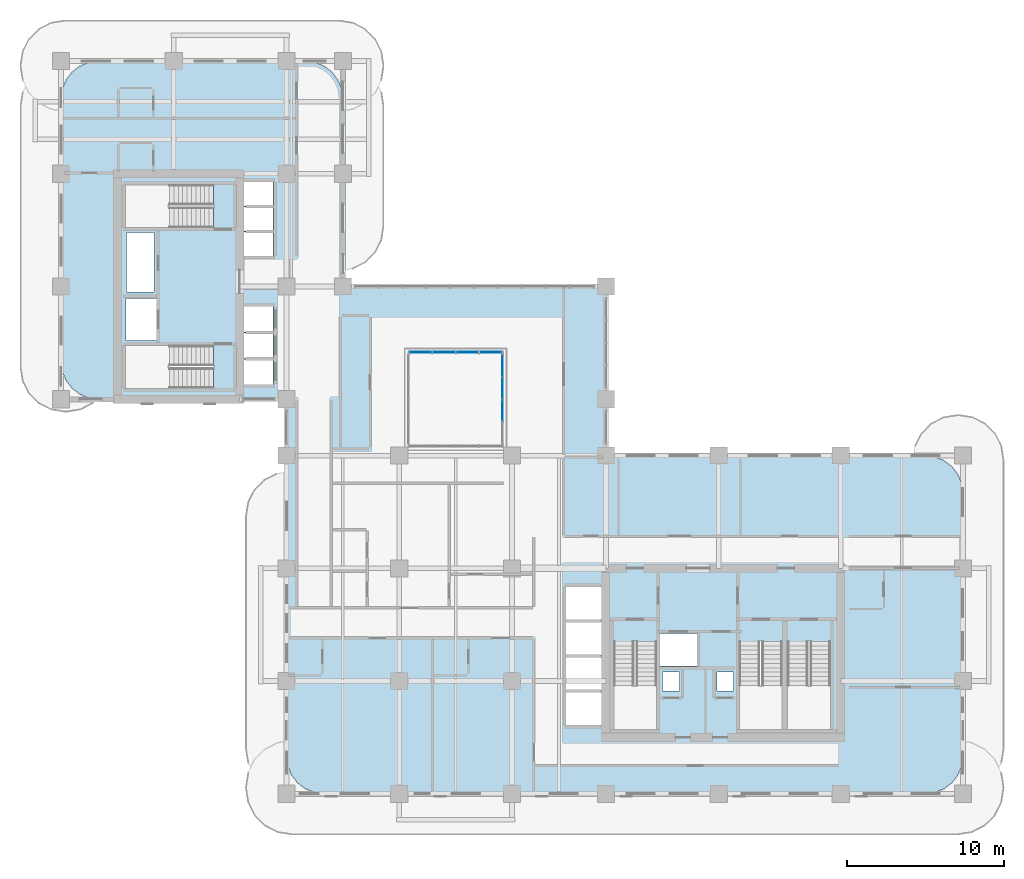
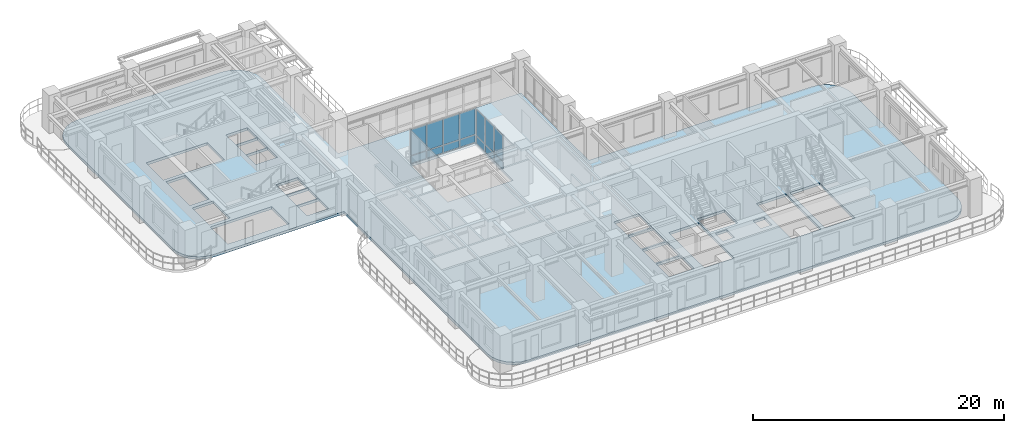
# One storey, part 9 of 22: 14 plates, 1 slab, 2 elements without a shape of their own.
"""IFC4 building model written with IfcOpenShell, lengths in metres."""

import ifcopenshell
import ifcopenshell.guid

model = None  # the IFC model being written
_history = None  # IfcOwnerHistory: only IFC2X3 demands one
_inside = {}  # id of a spatial element -> (the spatial element, [elements in it])
_under = {}  # id of a project, library or spatial element -> (it, [spatial elements below it])
_declared = {}  # id of a project -> (the project, [libraries it declares])
_typed = {}  # id of a type object -> (the type object, [elements of that type])
_made_of = {}  # id of a material, layer set ... -> (it, [elements and type objects made of it])


def new_model(schema):
    """Start an empty IFC model of exactly this schema.

    Asked for "IFC4X3", IfcOpenShell would pick the latest addendum, in which some entities
    have other attributes; the version numbers below select the first issue.
    IFC2X3 requires an IfcOwnerHistory on every rooted entity: one is made here for all.
    """
    global model, _history
    if schema == "IFC4X3":
        model = ifcopenshell.file(schema_version=(4, 3, 0, 0))
    else:
        model = ifcopenshell.file(schema=schema)
    _inside.clear()
    _under.clear()
    _declared.clear()
    _typed.clear()
    _made_of.clear()
    _history = None
    if model.schema == "IFC2X3":
        org = make("IfcOrganization", Name="unknown")
        user = make(
            "IfcPersonAndOrganization",
            ThePerson=make("IfcPerson", FamilyName="unknown"),
            TheOrganization=org,
        )
        app = make(
            "IfcApplication",
            ApplicationDeveloper=org,
            Version="unknown",
            ApplicationFullName="unknown",
            ApplicationIdentifier="unknown",
        )
        _history = make(
            "IfcOwnerHistory",
            OwningUser=user,
            OwningApplication=app,
            ChangeAction="ADDED",
            CreationDate=0,
        )
    return model


def make(cls, **values):
    """One entity of the class cls with the attributes given. An attribute that is None is left unset."""
    return model.create_entity(
        cls, **{name: value for name, value in values.items() if value is not None}
    )


def rooted(cls, **values):
    """An entity with a GlobalId (a new one), such as an element, a storey or a relation."""
    return make(cls, GlobalId=ifcopenshell.guid.new(), OwnerHistory=_history, **values)


def si_unit(unit_type, name, prefix=None):
    """IfcSIUnit, for example si_unit("LENGTHUNIT", "METRE", prefix="MILLI")."""
    return make("IfcSIUnit", UnitType=unit_type, Prefix=prefix, Name=name)


def derived_unit(unit_type, elements):
    """IfcDerivedUnit: a product of units, each with its exponent."""
    return make(
        "IfcDerivedUnit",
        Elements=[
            make("IfcDerivedUnitElement", Unit=unit, Exponent=power)
            for unit, power in elements
        ],
        UnitType=unit_type,
    )


def assignment(units):
    """IfcUnitAssignment: the units of a project."""
    return None if units is None else make("IfcUnitAssignment", Units=units)


def point(xyz):
    """IfcCartesianPoint."""
    return None if xyz is None else make("IfcCartesianPoint", Coordinates=xyz)


def direction(xyz):
    """IfcDirection."""
    return None if xyz is None else make("IfcDirection", DirectionRatios=xyz)


def frame(location, z_axis=None, x_axis=None):
    """IfcAxis2Placement3D, a coordinate frame: its origin and axes. An axis left out is left unset."""
    return make(
        "IfcAxis2Placement3D",
        Location=point(location),
        Axis=direction(z_axis),
        RefDirection=direction(x_axis),
    )


def frame_2d(location, x_axis=None):
    """IfcAxis2Placement2D, a coordinate frame in the plane: its origin and x axis."""
    return make(
        "IfcAxis2Placement2D", Location=point(location), RefDirection=direction(x_axis)
    )


def origin():
    """The frame at (0, 0, 0) with its axes left unset."""
    return frame((0.0, 0.0, 0.0))


def origin_2d():
    """The frame at (0, 0) in the plane with its x axis left unset."""
    return frame_2d((0.0, 0.0))


def place(relative_to, where):
    """IfcLocalPlacement: puts the frame where relative to a parent placement (None: the world)."""
    return make(
        "IfcLocalPlacement", PlacementRelTo=relative_to, RelativePlacement=where
    )


def context(
    kind, dimensions, precision=None, world=None, true_north=None, identifier=None
):
    """IfcGeometricRepresentationContext, for example the 3D "Model" context."""
    return make(
        "IfcGeometricRepresentationContext",
        ContextIdentifier=identifier,
        ContextType=kind,
        CoordinateSpaceDimension=dimensions,
        Precision=precision,
        WorldCoordinateSystem=world,
        TrueNorth=true_north,
    )


def subcontext(parent, identifier, kind, view, scale=None):
    """IfcGeometricRepresentationSubContext, for example "Body" below "Model"."""
    return make(
        "IfcGeometricRepresentationSubContext",
        ContextIdentifier=identifier,
        ContextType=kind,
        ParentContext=parent,
        TargetScale=scale,
        TargetView=view,
    )


def project(units=None, contexts=None):
    """IfcProject with its units and contexts."""
    return rooted(
        "IfcProject",
        Name="project",
        RepresentationContexts=contexts,
        UnitsInContext=assignment(units),
    )


def spatial(cls, under=None, at=None, **own):
    """A site, building, storey or space (cls), placed at a placement, below another one or the project."""
    s = rooted(cls, ObjectPlacement=at, **own)
    if under is not None:
        _under.setdefault(under.id(), (under, []))[1].append(s)
    return s


def polyline(points):
    """IfcPolyline through the points."""
    return make("IfcPolyline", Points=[point(p) for p in points])


def profile(cls, at=None, kind="AREA", **sizes):
    """A parametric profile (cls). Its sizes go by their IFC names, for example OverallWidth=200.0."""
    return make(cls, ProfileType=kind, Position=at, **sizes)


def rectangle(**sizes):
    """IfcRectangleProfileDef."""
    return profile("IfcRectangleProfileDef", **sizes)


def outline(outer, holes=None, kind="AREA"):
    """IfcArbitraryClosedProfileDef: a profile drawn as a closed curve; with holes, ...WithVoids."""
    if holes is None:
        return make("IfcArbitraryClosedProfileDef", ProfileType=kind, OuterCurve=outer)
    return make(
        "IfcArbitraryProfileDefWithVoids",
        ProfileType=kind,
        OuterCurve=outer,
        InnerCurves=holes,
    )


def extrude(swept, where, along, depth):
    """IfcExtrudedAreaSolid: the profile swept, set in the frame where, extruded along a direction by depth."""
    return make(
        "IfcExtrudedAreaSolid",
        SweptArea=swept,
        Position=where,
        ExtrudedDirection=direction(along),
        Depth=depth,
    )


def shape(context_of_items, identifier, shape_type, items):
    """IfcShapeRepresentation: the items that make up one representation, for example the "Body"."""
    return make(
        "IfcShapeRepresentation",
        ContextOfItems=context_of_items,
        RepresentationIdentifier=identifier,
        RepresentationType=shape_type,
        Items=items,
    )


def source(mapping_origin, context_of_items, identifier, shape_type, items):
    """IfcRepresentationMap: a shape defined once, which mapped items show again and again."""
    return make(
        "IfcRepresentationMap",
        MappingOrigin=mapping_origin,
        MappedRepresentation=shape(context_of_items, identifier, shape_type, items),
    )


def transform(
    local_origin,
    x_axis=None,
    y_axis=None,
    z_axis=None,
    scale=None,
    scale2=None,
    scale3=None,
    uniform=True,
):
    """IfcCartesianTransformationOperator3D, or its non-uniform kind. x_axis, y_axis, z_axis: its Axis1, 2, 3."""
    if uniform:
        return make(
            "IfcCartesianTransformationOperator3D",
            Axis1=direction(x_axis),
            Axis2=direction(y_axis),
            LocalOrigin=point(local_origin),
            Scale=scale,
            Axis3=direction(z_axis),
        )
    return make(
        "IfcCartesianTransformationOperator3DnonUniform",
        Axis1=direction(x_axis),
        Axis2=direction(y_axis),
        LocalOrigin=point(local_origin),
        Scale=scale,
        Axis3=direction(z_axis),
        Scale2=scale2,
        Scale3=scale3,
    )


def mapped(mapping_source, mapping_target):
    """IfcMappedItem: shows the shape of a source again, moved by a transform."""
    return make(
        "IfcMappedItem", MappingSource=mapping_source, MappingTarget=mapping_target
    )


def material(Name=None, Category=None):
    """IfcMaterial."""
    return make("IfcMaterial", Name=Name, Category=Category)


def layer(
    of_material, thickness, ventilated=None, Name=None, Category=None, Priority=None
):
    """IfcMaterialLayer: one layer of a wall or slab, of a material (None: an air gap)."""
    return make(
        "IfcMaterialLayer",
        Material=of_material,
        LayerThickness=thickness,
        IsVentilated=ventilated,
        Name=Name,
        Category=Category,
        Priority=Priority,
    )


def layer_set(layers, Name=None):
    """IfcMaterialLayerSet."""
    return make("IfcMaterialLayerSet", MaterialLayers=layers, LayerSetName=Name)


def made_of(thing, what):
    """Note that an element or type object is made of a material, layer set ...; save() writes the relation."""
    if what is not None:
        _made_of.setdefault(what.id(), (what, []))[1].append(thing)
    return thing


def type_object(cls, material=None, **own):
    """A type object (cls), such as IfcWallType, which elements share."""
    return made_of(rooted(cls, **own), material)


def element(
    cls,
    number,
    at=None,
    inside=None,
    cuts=None,
    type_object=None,
    material=None,
    context=None,
    identifier="Body",
    shape_type=None,
    held_by="IfcProductDefinitionShape",
    body=None,
    shapes=None,
    **own,
):
    """One element of the class cls, such as IfcWall. Its Tag is "e" and its number.

    at: its placement. inside: the storey or other place that contains it. cuts: it is an
    opening in that element (IfcRelVoidsElement). A single representation is given by context,
    identifier, shape_type and body (its items); several are given by shapes. held_by: the class
    of the entity that holds the representations. save() writes the other relations.
    """
    e = rooted(cls, Tag="e%d" % number, ObjectPlacement=at, **own)
    if body is not None:
        shapes = [shape(context, identifier, shape_type, body)]
    if shapes is not None:
        e.Representation = make(held_by, Representations=shapes)
    if inside is not None:
        _inside.setdefault(inside.id(), (inside, []))[1].append(e)
    if cuts is not None:
        rooted(
            "IfcRelVoidsElement", RelatingBuildingElement=cuts, RelatedOpeningElement=e
        )
    if type_object is not None:
        _typed.setdefault(type_object.id(), (type_object, []))[1].append(e)
    return made_of(e, material)


def aggregate(whole, parts):
    """IfcRelAggregates: a whole, such as a stair, and the parts it consists of."""
    return rooted("IfcRelAggregates", RelatingObject=whole, RelatedObjects=parts)


def save(model, path):
    """Write the relations noted so far, then the file.

    IfcRelAggregates (storeys below a building ...), IfcRelContainedInSpatialStructure (elements
    in a storey), IfcRelDefinesByType, IfcRelAssociatesMaterial and IfcRelDeclares: one each for
    every whole, place, type object, material and project.
    """
    for whole, parts in _under.values():
        aggregate(whole, parts)
    for where, things in _inside.values():
        rooted(
            "IfcRelContainedInSpatialStructure",
            RelatedElements=things,
            RelatingStructure=where,
        )
    for kind, things in _typed.values():
        rooted("IfcRelDefinesByType", RelatedObjects=things, RelatingType=kind)
    for what, things in _made_of.values():
        rooted("IfcRelAssociatesMaterial", RelatedObjects=things, RelatingMaterial=what)
    for by, libraries in _declared.values():
        rooted("IfcRelDeclares", RelatingContext=by, RelatedDefinitions=libraries)
    model.write(path)


model = new_model("IFC4")

# Units and contexts
model_context = context("Model", 3, precision=1e-05, world=origin(), true_north=direction((0.0, 1.0)))
body_context = subcontext(model_context, "Body", "Model", "MODEL_VIEW")
ifc_project = project(units=[si_unit("LENGTHUNIT", "METRE"), si_unit("AREAUNIT", "SQUARE_METRE"), si_unit("VOLUMEUNIT", "CUBIC_METRE"), si_unit("PLANEANGLEUNIT", "RADIAN"), si_unit("MASSUNIT", "GRAM", prefix="KILO"), si_unit("THERMODYNAMICTEMPERATUREUNIT", "KELVIN"), si_unit("POWERUNIT", "WATT"), derived_unit("THERMALTRANSMITTANCEUNIT", [(si_unit("POWERUNIT", "WATT"), 1), (si_unit("AREAUNIT", "SQUARE_METRE"), -1), (si_unit("THERMODYNAMICTEMPERATUREUNIT", "KELVIN"), -1)])], contexts=[model_context])

# Site, building, storey
site_placement = place(None, origin())
site = spatial("IfcSite", under=ifc_project, at=site_placement, CompositionType="ELEMENT")
building_placement = place(site_placement, origin())
building = spatial("IfcBuilding", under=site, at=building_placement, Name="Zahravan Archway Hotel and Residences", CompositionType="ELEMENT")
storey_placement = place(building_placement, frame((0.0, 0.0, 84.199951171875)))
storey = spatial("IfcBuildingStorey", under=building, at=storey_placement, Name="L20", CompositionType="ELEMENT", Elevation=84.199951171875)

# Slab
ifc_material_1 = material(Name="Concrete C45/55", Category="concrete")
ifc_layer_1 = layer(ifc_material_1, 0.25, Name="Concrete C45/55", Category="concrete")
ifc_layer_set_1 = layer_set([ifc_layer_1], Name="Concrete C45/55")
slab_type = type_object("IfcSlabType", Name="SLB-FLR-250", PredefinedType="FLOOR", material=ifc_layer_set_1)
slab_placement = place(storey_placement, frame((0.0, 0.0, -0.25)))
element("IfcSlab", 1, at=slab_placement, inside=storey, type_object=slab_type, Name="L20 Floor Slab LB", PredefinedType="FLOOR", context=body_context, shape_type="SweptSolid", body=[
    extrude(outline(polyline([(34.800048828125, 21.60009765625), (34.800048828125, 32.39990234375), (18.0, 32.39990234375), (18.0, 44.39990234375), (17.918212890625, 45.021240234375), (17.678466796875, 45.60009765625), (17.297119140625, 46.09716796875), (16.800048828125, 46.478515625), (16.22119140625, 46.71826171875), (15.60009765625, 46.800048828125), (2.39990234375, 46.800048828125), (1.77880859375, 46.71826171875), (1.199951171875, 46.478515625), (0.702880859375, 46.09716796875), (0.321533203125, 45.60009765625), (0.081787109375, 45.021240234375), (0.0, 44.39990234375), (0.0, 27.60009765625), (0.081787109375, 26.978759765625), (0.321533203125, 26.39990234375), (0.702880859375, 25.90283203125), (1.199951171875, 25.521484375), (1.77880859375, 25.28173828125), (2.39990234375, 25.199951171875), (14.39990234375, 25.199951171875), (14.39990234375, 19.199951171875), (14.39990234375, 19.10009765625), (14.39990234375, 2.39990234375), (14.481689453125, 1.77880859375), (14.721435546875, 1.199951171875), (15.102783203125, 0.702880859375), (15.60009765625, 0.321533203125), (16.1787109375, 0.081787109375), (16.800048828125, 0.0), (55.199951171875, 0.0), (55.8212890625, 0.081787109375), (56.39990234375, 0.321533203125), (56.897216796875, 0.702880859375), (57.278564453125, 1.199951171875), (57.518310546875, 1.77880859375), (57.60009765625, 2.39990234375), (57.60009765625, 19.199951171875), (57.518310546875, 19.8212890625), (57.278564453125, 20.39990234375), (56.897216796875, 20.897216796875), (56.39990234375, 21.278564453125), (55.8212890625, 21.518310546875), (55.199951171875, 21.60009765625), (34.800048828125, 21.60009765625)]), holes=[polyline([(35.300048828125, 9.72998046875), (35.300048828125, 4.10009765625), (38.0400390625, 4.10009765625), (38.0400390625, 9.72998046875), (35.300048828125, 9.72998046875)]), polyline([(43.320068359375, 9.72998046875), (43.320068359375, 4.10009765625), (46.06005859375, 4.10009765625), (46.06005859375, 9.72998046875), (43.320068359375, 9.72998046875)]), polyline([(46.39990234375, 9.72998046875), (46.39990234375, 4.10009765625), (49.139892578125, 4.10009765625), (49.139892578125, 9.72998046875), (46.39990234375, 9.72998046875)]), polyline([(9.72998046875, 28.639892578125), (4.10009765625, 28.639892578125), (4.10009765625, 25.89990234375), (9.72998046875, 25.89990234375), (9.72998046875, 28.639892578125)]), polyline([(9.72998046875, 38.89990234375), (4.10009765625, 38.89990234375), (4.10009765625, 36.159912109375), (9.72998046875, 36.159912109375), (9.72998046875, 38.89990234375)]), polyline([(38.179931640625, 8.14990234375), (40.699951171875, 8.14990234375), (40.699951171875, 10.25), (38.179931640625, 10.25), (38.179931640625, 8.14990234375)]), polyline([(4.14990234375, 28.949951171875), (6.10009765625, 28.949951171875), (6.10009765625, 31.64990234375), (4.14990234375, 31.64990234375), (4.14990234375, 28.949951171875)]), polyline([(11.550048828125, 26.14990234375), (13.550048828125, 26.14990234375), (13.550048828125, 27.75), (11.550048828125, 27.75), (11.550048828125, 26.14990234375)]), polyline([(11.550048828125, 27.830078125), (13.550048828125, 27.830078125), (13.550048828125, 29.429931640625), (11.550048828125, 29.429931640625), (11.550048828125, 27.830078125)]), polyline([(11.550048828125, 29.510009765625), (13.550048828125, 29.510009765625), (13.550048828125, 31.110107421875), (11.550048828125, 31.110107421875), (11.550048828125, 29.510009765625)]), polyline([(11.550048828125, 34.35009765625), (13.550048828125, 34.35009765625), (13.550048828125, 35.889892578125), (11.550048828125, 35.889892578125), (11.550048828125, 34.35009765625)]), polyline([(11.550048828125, 35.949951171875), (13.550048828125, 35.949951171875), (13.550048828125, 37.489990234375), (11.550048828125, 37.489990234375), (11.550048828125, 35.949951171875)]), polyline([(11.550048828125, 37.550048828125), (13.550048828125, 37.550048828125), (13.550048828125, 39.090087890625), (11.550048828125, 39.090087890625), (11.550048828125, 37.550048828125)]), polyline([(32.25, 4.39990234375), (34.550048828125, 4.39990234375), (34.550048828125, 6.47998046875), (32.25, 6.47998046875), (32.25, 4.39990234375)]), polyline([(32.25, 6.639892578125), (34.550048828125, 6.639892578125), (34.550048828125, 8.719970703125), (32.25, 8.719970703125), (32.25, 6.639892578125)]), polyline([(32.25, 8.8798828125), (34.550048828125, 8.8798828125), (34.550048828125, 10.9599609375), (32.25, 10.9599609375), (32.25, 8.8798828125)]), polyline([(32.25, 11.1201171875), (34.550048828125, 11.1201171875), (34.550048828125, 13.199951171875), (32.25, 13.199951171875), (32.25, 11.1201171875)]), polyline([(22.199951171875, 22.199951171875), (28.199951171875, 22.199951171875), (28.199951171875, 28.199951171875), (22.199951171875, 28.199951171875), (22.199951171875, 22.199951171875)]), polyline([(38.419921875, 6.56005859375), (39.5, 6.56005859375), (39.5, 7.780029296875), (38.419921875, 7.780029296875), (38.419921875, 6.56005859375)]), polyline([(41.89990234375, 6.56005859375), (42.9599609375, 6.56005859375), (42.9599609375, 7.780029296875), (41.89990234375, 7.780029296875), (41.89990234375, 6.56005859375)]), polyline([(4.179931640625, 32.050048828125), (5.93994140625, 32.050048828125), (5.93994140625, 35.840087890625), (4.179931640625, 35.840087890625), (4.179931640625, 32.050048828125)])]), origin(), (0.0, 0.0, 1.0), 0.25),
])

# Curtain wall, plates
ifc_material_2 = material(Name="Bronze-Anodized Unitised Aluminium & Low-E Glass", Category="aluminium")
ifc_layer_2 = layer(ifc_material_2, 0.179931640625, Name="Bronze-Anodized Unitised Aluminium & Low-E Glass", Category="aluminium")
ifc_layer_set_2 = layer_set([ifc_layer_2], Name="Bronze-Anodized Unitised Aluminium & Low-E Glass")
curtain_wall_type = type_object("IfcCurtainWallType", Name="CW-ATR-GLAZ", PredefinedType="NOTDEFINED", material=ifc_layer_set_2)
curtain_wall_1_placement = place(storey_placement, origin())
curtain_wall_1 = element("IfcCurtainWall", 2, at=curtain_wall_1_placement, inside=storey, type_object=curtain_wall_type, Name="L20 Curtain Wall CW-ATR-L20-N-1", PredefinedType="NOTDEFINED")
ifc_material_3 = material(Name="Insulated Terracotta Spandrel Panel", Category="masonry")
ifc_layer_3 = layer(ifc_material_3, 0.0400390625, Name="Insulated Terracotta Spandrel Panel", Category="masonry")
ifc_layer_set_3 = layer_set([ifc_layer_3], Name="Insulated Terracotta Spandrel Panel")
plate_type_1 = type_object("IfcPlateType", Name="CWP-SPN-40", PredefinedType="SHEET", material=ifc_layer_set_3)
shared_shape_1 = source(origin(), body_context, "Body", "SweptSolid", [
    extrude(rectangle(XDim=1.419921875, YDim=0.0400390625, at=origin_2d()), origin(), (0.0, 0.0, 1.0), 0.68798828125),
])
plate_1_placement = place(storey_placement, frame((22.949951171875, 28.199951171875, 0.10009765625), z_axis=(0.0, 0.0, 1.0), x_axis=(1.0, 0.0, 0.0)))
plate_1 = element("IfcPlate", 3, at=plate_1_placement, type_object=plate_type_1, Name="CW-ATR-L20-N-1 Spandrel Panel 0", PredefinedType="SHEET", context=body_context, shape_type="MappedRepresentation", body=[
    mapped(shared_shape_1, transform((0.0, 0.0, 0.0), scale=1.0)),
])
plate_2_placement = place(storey_placement, frame((24.449951171875, 28.199951171875, 0.10009765625), z_axis=(0.0, 0.0, 1.0), x_axis=(1.0, 0.0, 0.0)))
plate_2 = element("IfcPlate", 4, at=plate_2_placement, type_object=plate_type_1, Name="CW-ATR-L20-N-1 Spandrel Panel 1", PredefinedType="SHEET", context=body_context, shape_type="MappedRepresentation", body=[
    mapped(shared_shape_1, transform((0.0, 0.0, 0.0), scale=1.0)),
])
plate_3_placement = place(storey_placement, frame((25.949951171875, 28.199951171875, 0.10009765625), z_axis=(0.0, 0.0, 1.0), x_axis=(1.0, 0.0, 0.0)))
plate_3 = element("IfcPlate", 5, at=plate_3_placement, type_object=plate_type_1, Name="CW-ATR-L20-N-1 Spandrel Panel 2", PredefinedType="SHEET", context=body_context, shape_type="MappedRepresentation", body=[
    mapped(shared_shape_1, transform((0.0, 0.0, 0.0), scale=1.0)),
])
plate_4_placement = place(storey_placement, frame((27.449951171875, 28.199951171875, 0.10009765625), z_axis=(0.0, 0.0, 1.0), x_axis=(1.0, 0.0, 0.0)))
plate_4 = element("IfcPlate", 6, at=plate_4_placement, type_object=plate_type_1, Name="CW-ATR-L20-N-1 Spandrel Panel 3", PredefinedType="SHEET", context=body_context, shape_type="MappedRepresentation", body=[
    mapped(shared_shape_1, transform((0.0, 0.0, 0.0), scale=1.0)),
])
ifc_material_4 = material(Name="Double-Silver Low-E Insulated Vision Glass", Category="glass")
ifc_layer_4 = layer(ifc_material_4, 0.028076171875, Name="Double-Silver Low-E Insulated Vision Glass", Category="glass")
ifc_layer_set_4 = layer_set([ifc_layer_4], Name="Double-Silver Low-E Insulated Vision Glass")
plate_type_2 = type_object("IfcPlateType", Name="CWP-GLZ-28", PredefinedType="CURTAIN_PANEL", material=ifc_layer_set_4)
shared_shape_2 = source(origin(), body_context, "Body", "SweptSolid", [
    extrude(rectangle(XDim=1.419921875, YDim=0.028076171875, at=origin_2d()), origin(), (0.0, 0.0, 1.0), 2.48193359375),
])
plate_5_placement = place(storey_placement, frame((22.949951171875, 28.199951171875, 0.8681640625), z_axis=(0.0, 0.0, 1.0), x_axis=(1.0, 0.0, 0.0)))
plate_5 = element("IfcPlate", 7, at=plate_5_placement, type_object=plate_type_2, Name="CW-ATR-L20-N-1 Low-E Vision Panel 0", PredefinedType="CURTAIN_PANEL", context=body_context, shape_type="MappedRepresentation", body=[
    mapped(shared_shape_2, transform((0.0, 0.0, 0.0), scale=1.0)),
])
plate_6_placement = place(storey_placement, frame((24.449951171875, 28.199951171875, 0.8681640625), z_axis=(0.0, 0.0, 1.0), x_axis=(1.0, 0.0, 0.0)))
plate_6 = element("IfcPlate", 8, at=plate_6_placement, type_object=plate_type_2, Name="CW-ATR-L20-N-1 Low-E Vision Panel 1", PredefinedType="CURTAIN_PANEL", context=body_context, shape_type="MappedRepresentation", body=[
    mapped(shared_shape_2, transform((0.0, 0.0, 0.0), scale=1.0)),
])
plate_7_placement = place(storey_placement, frame((25.949951171875, 28.199951171875, 0.8681640625), z_axis=(0.0, 0.0, 1.0), x_axis=(1.0, 0.0, 0.0)))
plate_7 = element("IfcPlate", 9, at=plate_7_placement, type_object=plate_type_2, Name="CW-ATR-L20-N-1 Low-E Vision Panel 2", PredefinedType="CURTAIN_PANEL", context=body_context, shape_type="MappedRepresentation", body=[
    mapped(shared_shape_2, transform((0.0, 0.0, 0.0), scale=1.0)),
])
plate_8_placement = place(storey_placement, frame((27.449951171875, 28.199951171875, 0.8681640625), z_axis=(0.0, 0.0, 1.0), x_axis=(1.0, 0.0, 0.0)))
plate_8 = element("IfcPlate", 10, at=plate_8_placement, type_object=plate_type_2, Name="CW-ATR-L20-N-1 Low-E Vision Panel 3", PredefinedType="CURTAIN_PANEL", context=body_context, shape_type="MappedRepresentation", body=[
    mapped(shared_shape_2, transform((0.0, 0.0, 0.0), scale=1.0)),
])
aggregate(curtain_wall_1, [plate_1, plate_5, plate_2, plate_6, plate_3, plate_7, plate_4, plate_8])

curtain_wall_2_placement = place(storey_placement, origin())
curtain_wall_2 = element("IfcCurtainWall", 11, at=curtain_wall_2_placement, inside=storey, type_object=curtain_wall_type, Name="L20 Curtain Wall CW-ATR-L20-E-1", PredefinedType="NOTDEFINED")
shared_shape_3 = source(origin(), body_context, "Body", "SweptSolid", [
    extrude(rectangle(XDim=1.344970703125, YDim=0.0400390625, at=origin_2d()), origin(), (0.0, 0.0, 1.0), 0.68798828125),
])
plate_9_placement = place(storey_placement, frame((28.199951171875, 24.487548828125, 0.10009765625), z_axis=(0.0, 0.0, 1.0), x_axis=(0.0, 1.0, 0.0)))
plate_9 = element("IfcPlate", 12, at=plate_9_placement, type_object=plate_type_1, Name="CW-ATR-L20-E-1 Spandrel Panel 1", PredefinedType="SHEET", context=body_context, shape_type="MappedRepresentation", body=[
    mapped(shared_shape_3, transform((0.0, 0.0, 0.0), scale=1.0)),
])
plate_10_placement = place(storey_placement, frame((28.199951171875, 25.91259765625, 0.10009765625), z_axis=(0.0, 0.0, 1.0), x_axis=(0.0, 1.0, 0.0)))
plate_10 = element("IfcPlate", 13, at=plate_10_placement, type_object=plate_type_1, Name="CW-ATR-L20-E-1 Spandrel Panel 2", PredefinedType="SHEET", context=body_context, shape_type="MappedRepresentation", body=[
    mapped(shared_shape_3, transform((0.0, 0.0, 0.0), scale=1.0)),
])
plate_11_placement = place(storey_placement, frame((28.199951171875, 27.33740234375, 0.10009765625), z_axis=(0.0, 0.0, 1.0), x_axis=(0.0, 1.0, 0.0)))
plate_11 = element("IfcPlate", 14, at=plate_11_placement, type_object=plate_type_1, Name="CW-ATR-L20-E-1 Spandrel Panel 3", PredefinedType="SHEET", context=body_context, shape_type="MappedRepresentation", body=[
    mapped(shared_shape_3, transform((0.0, 0.0, 0.0), scale=1.0)),
])
shared_shape_4 = source(origin(), body_context, "Body", "SweptSolid", [
    extrude(rectangle(XDim=1.344970703125, YDim=0.028076171875, at=origin_2d()), origin(), (0.0, 0.0, 1.0), 2.48193359375),
])
plate_12_placement = place(storey_placement, frame((28.199951171875, 24.487548828125, 0.8681640625), z_axis=(0.0, 0.0, 1.0), x_axis=(0.0, 1.0, 0.0)))
plate_12 = element("IfcPlate", 15, at=plate_12_placement, type_object=plate_type_2, Name="CW-ATR-L20-E-1 Low-E Vision Panel 1", PredefinedType="CURTAIN_PANEL", context=body_context, shape_type="MappedRepresentation", body=[
    mapped(shared_shape_4, transform((0.0, 0.0, 0.0), scale=1.0)),
])
plate_13_placement = place(storey_placement, frame((28.199951171875, 25.91259765625, 0.8681640625), z_axis=(0.0, 0.0, 1.0), x_axis=(0.0, 1.0, 0.0)))
plate_13 = element("IfcPlate", 16, at=plate_13_placement, type_object=plate_type_2, Name="CW-ATR-L20-E-1 Low-E Vision Panel 2", PredefinedType="CURTAIN_PANEL", context=body_context, shape_type="MappedRepresentation", body=[
    mapped(shared_shape_4, transform((0.0, 0.0, 0.0), scale=1.0)),
])
plate_14_placement = place(storey_placement, frame((28.199951171875, 27.33740234375, 0.8681640625), z_axis=(0.0, 0.0, 1.0), x_axis=(0.0, 1.0, 0.0)))
plate_14 = element("IfcPlate", 17, at=plate_14_placement, type_object=plate_type_2, Name="CW-ATR-L20-E-1 Low-E Vision Panel 3", PredefinedType="CURTAIN_PANEL", context=body_context, shape_type="MappedRepresentation", body=[
    mapped(shared_shape_4, transform((0.0, 0.0, 0.0), scale=1.0)),
])
aggregate(curtain_wall_2, [plate_9, plate_12, plate_10, plate_13, plate_11, plate_14])

save(model, "model.ifc")
